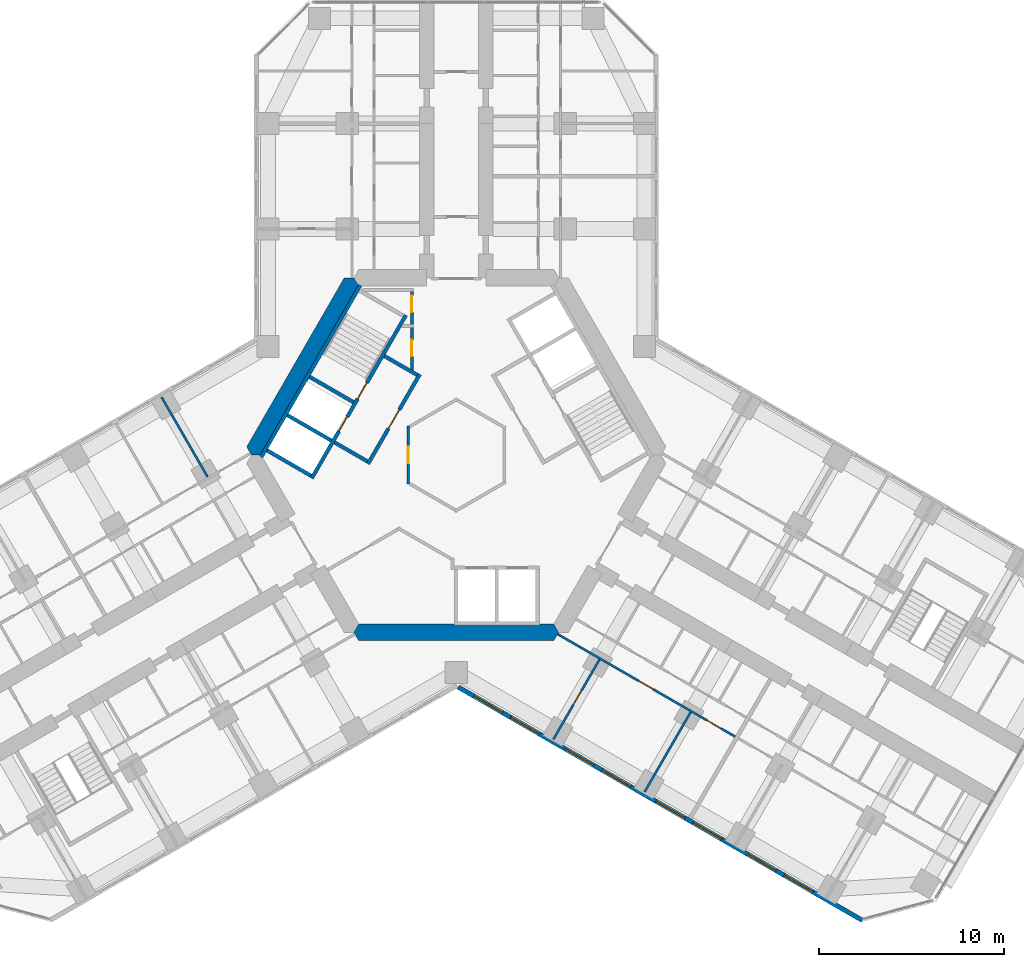
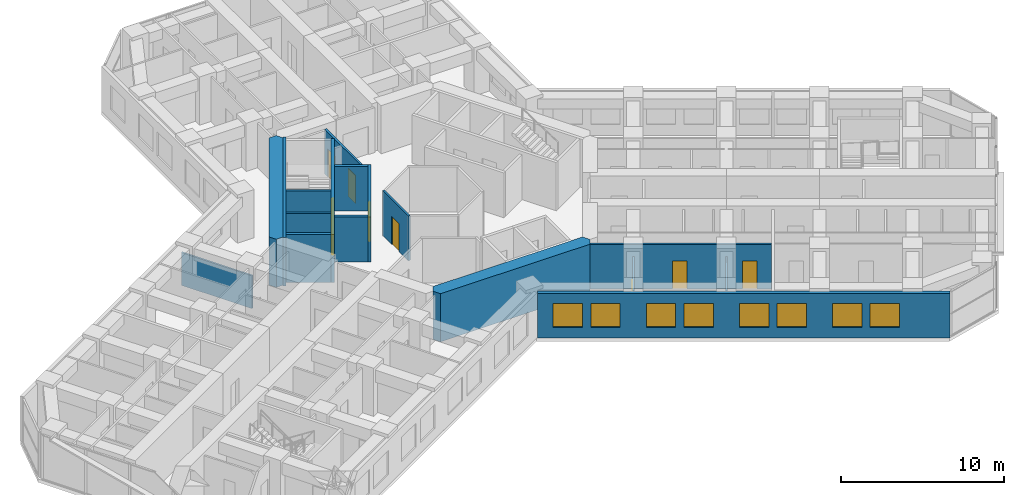
# One storey, part 13 of 20: 17 walls, 9 doors, 8 windows, 17 openings.
"""IFC4 building model written with IfcOpenShell, lengths in metres."""

from ifc_helpers import new_model, si_unit, direction, frame, frame_2d, origin, place, context, subcontext, project, spatial, polyline, rectangle, outline, extrude, material, layer, layer_set, type_object, element, fill, save


model = new_model("IFC4")

# Units and contexts
model_context = context("Model", 3, precision=1e-05, world=origin(), true_north=direction((0.0, 1.0)))
body_context = subcontext(model_context, "Body", "Model", "MODEL_VIEW")
ifc_project = project(units=[si_unit("LENGTHUNIT", "METRE"), si_unit("AREAUNIT", "SQUARE_METRE"), si_unit("VOLUMEUNIT", "CUBIC_METRE"), si_unit("PLANEANGLEUNIT", "RADIAN"), si_unit("MASSUNIT", "GRAM", prefix="KILO")], contexts=[model_context])

# Site, building, storey
site_placement = place(None, origin())
site = spatial("IfcSite", under=ifc_project, at=site_placement, CompositionType="ELEMENT")
building_placement = place(site_placement, origin())
building = spatial("IfcBuilding", under=site, at=building_placement, Name="Kosmar Iwan School Tower", CompositionType="ELEMENT")
storey_placement = place(building_placement, frame((0.0, 0.0, 127.39990234375)))
storey = spatial("IfcBuildingStorey", under=building, at=storey_placement, Name="L31", CompositionType="ELEMENT", Elevation=127.39990234375)

# Wall, openings, doors
ifc_material_1 = material(Name="Gypsum board on steel studs, fire-rated", Category="steel")
ifc_layer_1 = layer(ifc_material_1, 0.14990234375)
ifc_layer_set_1 = layer_set([ifc_layer_1], Name="Core room partition 150")
wall_type_1 = type_object("IfcWallType", Name="Core room partition 150", PredefinedType="PARTITIONING", material=ifc_layer_set_1)
wall_1_placement = place(storey_placement, frame((-2.39990234375, 9.014892578125, 0.0), z_axis=(0.0, 0.0, 1.0), x_axis=(0.0, -1.0, 0.0)))
wall_1 = element("IfcWall", 1, at=wall_1_placement, inside=storey, type_object=wall_type_1, Name="Core room partition L31-CW1", PredefinedType="PARTITIONING", context=body_context, shape_type="SweptSolid", body=[
    extrude(rectangle(XDim=4.484130859375, YDim=0.14990234375, at=frame_2d((2.2421875, 0.0))), origin(), (0.0, 0.0, 1.0), 3.35009765625),
])
opening_1_placement = place(wall_1_placement, frame((0.375, 0.0, 0.0)))
opening_1 = element("IfcOpeningElement", 2, at=opening_1_placement, cuts=wall_1, Name="Opening D14", PredefinedType="OPENING", context=body_context, shape_type="SweptSolid", body=[
    extrude(rectangle(XDim=0.89990234375, YDim=2.10009765625, at=frame_2d((0.449951171875, 1.050048828125))), frame((0.0, 0.0869140625, 0.0), z_axis=(0.0, -1.0, 0.0), x_axis=(1.0, 0.0, 0.0)), (0.0, 0.0, 1.0), 0.173828125),
])
opening_2_placement = place(wall_1_placement, frame((2.77490234375, 0.0, 0.0)))
opening_2 = element("IfcOpeningElement", 3, at=opening_2_placement, cuts=wall_1, Name="Opening D14", PredefinedType="OPENING", context=body_context, shape_type="SweptSolid", body=[
    extrude(rectangle(XDim=0.89990234375, YDim=2.10009765625, at=frame_2d((0.449951171875, 1.050048828125))), frame((0.0, 0.0869140625, 0.0), z_axis=(0.0, -1.0, 0.0), x_axis=(1.0, 0.0, 0.0)), (0.0, 0.0, 1.0), 0.173828125),
])
ifc_material_2 = material(Name="Timber fire door in steel frame", Category="steel")
door_type_1 = type_object("IfcDoorType", Name="Core room door 900x2100", OperationType="SINGLE_SWING_LEFT", PredefinedType="DOOR", material=ifc_material_2)
door_1_placement = place(opening_1_placement, origin())
door_1 = element("IfcDoor", 4, at=door_1_placement, inside=storey, type_object=door_type_1, Name="Electrical riser and switch room door L31 1", OperationType="SINGLE_SWING_LEFT", OverallHeight=2.10009765625, OverallWidth=0.89990234375, PredefinedType="DOOR", context=body_context, shape_type="SweptSolid", body=[
    extrude(rectangle(XDim=0.89990234375, YDim=2.10009765625, at=frame_2d((0.449951171875, 1.050048828125))), frame((0.0, 0.02490234375, 0.0), z_axis=(0.0, -1.0, 0.0), x_axis=(1.0, 0.0, 0.0)), (0.0, 0.0, 1.0), 0.050048828125),
])
fill(opening_1, door_1)
door_2_placement = place(opening_2_placement, origin())
door_2 = element("IfcDoor", 5, at=door_2_placement, inside=storey, type_object=door_type_1, Name="Plumbing and wet riser door L31 2", OperationType="SINGLE_SWING_RIGHT", OverallHeight=2.10009765625, OverallWidth=0.89990234375, PredefinedType="DOOR", context=body_context, shape_type="SweptSolid", body=[
    extrude(rectangle(XDim=0.89990234375, YDim=2.10009765625, at=frame_2d((0.449951171875, 1.050048828125))), frame((0.0, 0.02490234375, 0.0), z_axis=(0.0, -1.0, 0.0), x_axis=(1.0, 0.0, 0.0)), (0.0, 0.0, 1.0), 0.050048828125),
])
fill(opening_2, door_2)

# Wall, opening, door
wall_2_placement = place(storey_placement, frame((-2.60009765625, -1.576171875, 0.0), z_axis=(0.0, 0.0, 1.0), x_axis=(0.0, 1.0, 0.0)))
wall_2 = element("IfcWall", 6, at=wall_2_placement, inside=storey, type_object=wall_type_1, Name="Core room partition L31-CW10", PredefinedType="PARTITIONING", context=body_context, shape_type="SweptSolid", body=[
    extrude(rectangle(XDim=3.15234375, YDim=0.14990234375, at=frame_2d((1.576171875, 0.0))), origin(), (0.0, 0.0, 1.0), 3.35009765625),
])
opening_3_placement = place(wall_2_placement, frame((1.1259765625, 0.0, 0.0)))
opening_3 = element("IfcOpeningElement", 7, at=opening_3_placement, cuts=wall_2, Name="Opening D14", PredefinedType="OPENING", context=body_context, shape_type="SweptSolid", body=[
    extrude(rectangle(XDim=0.89990234375, YDim=2.10009765625, at=frame_2d((0.449951171875, 1.050048828125))), frame((0.0, 0.0869140625, 0.0), z_axis=(0.0, -1.0, 0.0), x_axis=(1.0, 0.0, 0.0)), (0.0, 0.0, 1.0), 0.173828125),
])
door_3_placement = place(opening_3_placement, origin())
door_3 = element("IfcDoor", 8, at=door_3_placement, inside=storey, type_object=door_type_1, Name="Bulky waste store door L31 4", OperationType="SINGLE_SWING_LEFT", OverallHeight=2.10009765625, OverallWidth=0.89990234375, PredefinedType="DOOR", context=body_context, shape_type="SweptSolid", body=[
    extrude(rectangle(XDim=0.89990234375, YDim=2.10009765625, at=frame_2d((0.449951171875, 1.050048828125))), frame((0.0, 0.02490234375, 0.0), z_axis=(0.0, -1.0, 0.0), x_axis=(1.0, 0.0, 0.0)), (0.0, 0.0, 1.0), 0.050048828125),
])
fill(opening_3, door_3)

# Walls
ifc_material_3 = material(Name="Concrete C50/60", Category="concrete")
ifc_layer_2 = layer(ifc_material_3, 0.89990234375)
ifc_layer_set_2 = layer_set([ifc_layer_2], Name="Core wall 900")
wall_type_2 = type_object("IfcWallType", Name="Core wall 900", PredefinedType="SHEAR", material=ifc_layer_set_2)
wall_3_placement = place(storey_placement, origin())
element("IfcWall", 9, at=wall_3_placement, inside=storey, type_object=wall_type_2, Name="Core wall F150", PredefinedType="SHEAR", context=body_context, shape_type="SweptSolid", body=[
    extrude(outline(polyline([(-11.085205078125, 0.0), (-10.5654296875, 0.0), (-5.28271484375, 9.14990234375), (-5.54248046875, 9.60009765625), (-6.062255859375, 9.60009765625), (-11.344970703125, 0.449951171875), (-11.085205078125, 0.0)])), origin(), (0.0, 0.0, 1.0), 3.60009765625),
])
wall_4_placement = place(storey_placement, origin())
element("IfcWall", 10, at=wall_4_placement, inside=storey, type_object=wall_type_2, Name="Core wall F270", PredefinedType="SHEAR", context=body_context, shape_type="SweptSolid", body=[
    extrude(outline(polyline([(-5.28271484375, -10.050048828125), (5.28271484375, -10.050048828125), (5.54248046875, -9.60009765625), (5.28271484375, -9.14990234375), (-5.28271484375, -9.14990234375), (-5.54248046875, -9.60009765625), (-5.28271484375, -10.050048828125)])), origin(), (0.0, 0.0, 1.0), 3.60009765625),
])
ifc_material_4 = material(Name="Gypsum board on steel studs", Category="steel")
ifc_layer_3 = layer(ifc_material_4, 0.1201171875)
ifc_layer_set_3 = layer_set([ifc_layer_3], Name="Dwelling partition 120")
wall_type_3 = type_object("IfcWallType", Name="Dwelling partition 120", PredefinedType="PARTITIONING", material=ifc_layer_set_3)
wall_5_placement = place(storey_placement, frame((-13.4638671875, -1.179931640625, 0.0), z_axis=(0.0, 0.0, 1.0), x_axis=(-0.499996339024, 0.86602751744, 0.0)))
element("IfcWall", 11, at=wall_5_placement, inside=storey, type_object=wall_type_3, Name="Partition L31-BR1-X1", PredefinedType="PARTITIONING", context=body_context, shape_type="SweptSolid", body=[
    extrude(rectangle(XDim=4.98974609375, YDim=0.1201171875, at=frame_2d((2.494873046875, 0.0))), origin(), (0.0, 0.0, 1.0), 2.4501953125),
])

# Wall, openings, doors
wall_6_placement = place(storey_placement, frame((5.48876953125, -9.693115234375, 0.0), z_axis=(0.0, 0.0, 1.0), x_axis=(0.866026992824, -0.499997247692, 0.0)))
wall_6 = element("IfcWall", 12, at=wall_6_placement, inside=storey, type_object=wall_type_3, Name="Partition L31-CR1-W2", PredefinedType="PARTITIONING", context=body_context, shape_type="SweptSolid", body=[
    extrude(rectangle(XDim=11.10009765625, YDim=0.1201171875, at=frame_2d((5.550048828125, 0.0))), origin(), (0.0, 0.0, 1.0), 3.35009765625),
])
opening_4_placement = place(wall_6_placement, frame((5.050048828125, 0.0, 0.0)))
opening_4 = element("IfcOpeningElement", 13, at=opening_4_placement, cuts=wall_6, Name="Opening D2", PredefinedType="OPENING", context=body_context, shape_type="SweptSolid", body=[
    extrude(rectangle(XDim=0.89990234375, YDim=2.10009765625, at=frame_2d((0.449951171875, 1.050048828125))), frame((0.0, 0.072021484375, 0.0), z_axis=(0.0, -1.0, 0.0), x_axis=(1.0, 0.0, 0.0)), (0.0, 0.0, 1.0), 0.14404296875),
])
opening_5_placement = place(wall_6_placement, frame((9.324951171875, 0.0, 0.0)))
opening_5 = element("IfcOpeningElement", 14, at=opening_5_placement, cuts=wall_6, Name="Opening D2", PredefinedType="OPENING", context=body_context, shape_type="SweptSolid", body=[
    extrude(rectangle(XDim=0.89990234375, YDim=2.10009765625, at=frame_2d((0.449951171875, 1.050048828125))), frame((0.0, 0.072021484375, 0.0), z_axis=(0.0, -1.0, 0.0), x_axis=(1.0, 0.0, 0.0)), (0.0, 0.0, 1.0), 0.14404296875),
])
ifc_material_5 = material(Name="Timber door in timber frame", Category="wood")
door_type_2 = type_object("IfcDoorType", Name="Internal door 900x2100", OperationType="SINGLE_SWING_LEFT", PredefinedType="DOOR", material=ifc_material_5)
door_4_placement = place(opening_4_placement, origin())
door_4 = element("IfcDoor", 15, at=door_4_placement, inside=storey, type_object=door_type_2, Name="Family room door L31-CR1-F2", OperationType="SINGLE_SWING_LEFT", OverallHeight=2.10009765625, OverallWidth=0.89990234375, PredefinedType="DOOR", context=body_context, shape_type="SweptSolid", body=[
    extrude(rectangle(XDim=0.89990234375, YDim=2.10009765625, at=frame_2d((0.449951171875, 1.050048828125))), frame((0.0, 0.02490234375, 0.0), z_axis=(0.0, -1.0, 0.0), x_axis=(1.0, 0.0, 0.0)), (0.0, 0.0, 1.0), 0.050048828125),
])
fill(opening_4, door_4)
door_5_placement = place(opening_5_placement, origin())
door_5 = element("IfcDoor", 16, at=door_5_placement, inside=storey, type_object=door_type_2, Name="Bedroom 1 door L31-CR1-F3", OperationType="SINGLE_SWING_RIGHT", OverallHeight=2.10009765625, OverallWidth=0.89990234375, PredefinedType="DOOR", context=body_context, shape_type="SweptSolid", body=[
    extrude(rectangle(XDim=0.89990234375, YDim=2.10009765625, at=frame_2d((0.449951171875, 1.050048828125))), frame((0.0, 0.02490234375, 0.0), z_axis=(0.0, -1.0, 0.0), x_axis=(1.0, 0.0, 0.0)), (0.0, 0.0, 1.0), 0.050048828125),
])
fill(opening_5, door_5)

# Wall, opening, door
wall_7_placement = place(storey_placement, frame((7.75390625, -11.070068359375, 0.0), z_axis=(0.0, 0.0, 1.0), x_axis=(-0.500033033937, -0.866006330792, 0.0)))
wall_7 = element("IfcWall", 17, at=wall_7_placement, inside=storey, type_object=wall_type_3, Name="Partition L31-CR1-X1", PredefinedType="PARTITIONING", context=body_context, shape_type="SweptSolid", body=[
    extrude(rectangle(XDim=4.989990234375, YDim=0.1201171875, at=frame_2d((2.4951171875, 0.0))), origin(), (0.0, 0.0, 1.0), 2.4501953125),
])
opening_6_placement = place(wall_7_placement, frame((1.93994140625, 0.0, 0.0)))
opening_6 = element("IfcOpeningElement", 18, at=opening_6_placement, cuts=wall_7, Name="Opening D2", PredefinedType="OPENING", context=body_context, shape_type="SweptSolid", body=[
    extrude(rectangle(XDim=0.89990234375, YDim=2.10009765625, at=frame_2d((0.449951171875, 1.050048828125))), frame((0.0, 0.072021484375, 0.0), z_axis=(0.0, -1.0, 0.0), x_axis=(1.0, 0.0, 0.0)), (0.0, 0.0, 1.0), 0.14404296875),
])
door_6_placement = place(opening_6_placement, origin())
door_6 = element("IfcDoor", 19, at=door_6_placement, inside=storey, type_object=door_type_2, Name="Kitchen and dining room door L31-CR1-F1", OperationType="SINGLE_SWING_LEFT", OverallHeight=2.10009765625, OverallWidth=0.89990234375, PredefinedType="DOOR", context=body_context, shape_type="SweptSolid", body=[
    extrude(rectangle(XDim=0.89990234375, YDim=2.10009765625, at=frame_2d((0.449951171875, 1.050048828125))), frame((0.0, 0.02490234375, 0.0), z_axis=(0.0, -1.0, 0.0), x_axis=(1.0, 0.0, 0.0)), (0.0, 0.0, 1.0), 0.050048828125),
])
fill(opening_6, door_6)

# Wall
wall_8_placement = place(storey_placement, frame((12.690185546875, -13.919921875, 0.0), z_axis=(0.0, 0.0, 1.0), x_axis=(-0.500011847778, -0.866018563358, 0.0)))
element("IfcWall", 20, at=wall_8_placement, inside=storey, type_object=wall_type_3, Name="Partition L31-CR1-X2", PredefinedType="PARTITIONING", context=body_context, shape_type="SweptSolid", body=[
    extrude(rectangle(XDim=4.990234375, YDim=0.1201171875, at=frame_2d((2.4951171875, 0.0))), origin(), (0.0, 0.0, 1.0), 2.4501953125),
])

# Wall, openings, windows
ifc_material_6 = material(Name="Black aluminium rainscreen on insulated framing", Category="aluminium")
ifc_layer_4 = layer(ifc_material_6, 0.25)
ifc_layer_set_4 = layer_set([ifc_layer_4], Name="External wall rainscreen 250")
wall_type_4 = type_object("IfcWallType", Name="External wall rainscreen 250", PredefinedType="SOLIDWALL", material=ifc_layer_set_4)
wall_9_placement = place(storey_placement, frame((0.10546875, -12.560546875, 0.0), z_axis=(0.0, 0.0, 1.0), x_axis=(0.866027073697, -0.499997107615, 0.0)))
wall_9 = element("IfcWall", 21, at=wall_9_placement, inside=storey, type_object=wall_type_4, Name="External wall CR L31", PredefinedType="SOLIDWALL", context=body_context, shape_type="SweptSolid", body=[
    extrude(rectangle(XDim=25.263916015625, YDim=0.25, at=frame_2d((12.6318359375, 0.0))), origin(), (0.0, 0.0, 1.0), 3.35009765625),
])
opening_7_placement = place(wall_9_placement, frame((0.978515625, 0.0, 0.800048828125)))
opening_7 = element("IfcOpeningElement", 22, at=opening_7_placement, cuts=wall_9, Name="Opening W1", PredefinedType="OPENING", context=body_context, shape_type="SweptSolid", body=[
    extrude(rectangle(XDim=1.800048828125, YDim=1.800048828125, at=frame_2d((0.89990234375, 0.89990234375))), frame((0.0, 0.136962890625, 0.0), z_axis=(0.0, -1.0, 0.0), x_axis=(1.0, 0.0, 0.0)), (0.0, 0.0, 1.0), 0.27392578125),
])
opening_8_placement = place(wall_9_placement, frame((3.278564453125, 0.0, 0.800048828125)))
opening_8 = element("IfcOpeningElement", 23, at=opening_8_placement, cuts=wall_9, Name="Opening W1", PredefinedType="OPENING", context=body_context, shape_type="SweptSolid", body=[
    extrude(rectangle(XDim=1.800048828125, YDim=1.800048828125, at=frame_2d((0.89990234375, 0.89990234375))), frame((0.0, 0.136962890625, 0.0), z_axis=(0.0, -1.0, 0.0), x_axis=(1.0, 0.0, 0.0)), (0.0, 0.0, 1.0), 0.27392578125),
])
opening_9_placement = place(wall_9_placement, frame((6.678466796875, 0.0, 0.800048828125)))
opening_9 = element("IfcOpeningElement", 24, at=opening_9_placement, cuts=wall_9, Name="Opening W1", PredefinedType="OPENING", context=body_context, shape_type="SweptSolid", body=[
    extrude(rectangle(XDim=1.800048828125, YDim=1.800048828125, at=frame_2d((0.89990234375, 0.89990234375))), frame((0.0, 0.136962890625, 0.0), z_axis=(0.0, -1.0, 0.0), x_axis=(1.0, 0.0, 0.0)), (0.0, 0.0, 1.0), 0.27392578125),
])
opening_10_placement = place(wall_9_placement, frame((8.978515625, 0.0, 0.800048828125)))
opening_10 = element("IfcOpeningElement", 25, at=opening_10_placement, cuts=wall_9, Name="Opening W1", PredefinedType="OPENING", context=body_context, shape_type="SweptSolid", body=[
    extrude(rectangle(XDim=1.800048828125, YDim=1.800048828125, at=frame_2d((0.89990234375, 0.89990234375))), frame((0.0, 0.136962890625, 0.0), z_axis=(0.0, -1.0, 0.0), x_axis=(1.0, 0.0, 0.0)), (0.0, 0.0, 1.0), 0.27392578125),
])
opening_11_placement = place(wall_9_placement, frame((12.37841796875, 0.0, 0.800048828125)))
opening_11 = element("IfcOpeningElement", 26, at=opening_11_placement, cuts=wall_9, Name="Opening W1", PredefinedType="OPENING", context=body_context, shape_type="SweptSolid", body=[
    extrude(rectangle(XDim=1.800048828125, YDim=1.800048828125, at=frame_2d((0.89990234375, 0.89990234375))), frame((0.0, 0.136962890625, 0.0), z_axis=(0.0, -1.0, 0.0), x_axis=(1.0, 0.0, 0.0)), (0.0, 0.0, 1.0), 0.27392578125),
])
opening_12_placement = place(wall_9_placement, frame((14.678466796875, 0.0, 0.800048828125)))
opening_12 = element("IfcOpeningElement", 27, at=opening_12_placement, cuts=wall_9, Name="Opening W1", PredefinedType="OPENING", context=body_context, shape_type="SweptSolid", body=[
    extrude(rectangle(XDim=1.800048828125, YDim=1.800048828125, at=frame_2d((0.89990234375, 0.89990234375))), frame((0.0, 0.136962890625, 0.0), z_axis=(0.0, -1.0, 0.0), x_axis=(1.0, 0.0, 0.0)), (0.0, 0.0, 1.0), 0.27392578125),
])
opening_13_placement = place(wall_9_placement, frame((18.07861328125, 0.0, 0.800048828125)))
opening_13 = element("IfcOpeningElement", 28, at=opening_13_placement, cuts=wall_9, Name="Opening W1", PredefinedType="OPENING", context=body_context, shape_type="SweptSolid", body=[
    extrude(rectangle(XDim=1.800048828125, YDim=1.800048828125, at=frame_2d((0.89990234375, 0.89990234375))), frame((0.0, 0.136962890625, 0.0), z_axis=(0.0, -1.0, 0.0), x_axis=(1.0, 0.0, 0.0)), (0.0, 0.0, 1.0), 0.27392578125),
])
opening_14_placement = place(wall_9_placement, frame((20.37841796875, 0.0, 0.800048828125)))
opening_14 = element("IfcOpeningElement", 29, at=opening_14_placement, cuts=wall_9, Name="Opening W1", PredefinedType="OPENING", context=body_context, shape_type="SweptSolid", body=[
    extrude(rectangle(XDim=1.800048828125, YDim=1.800048828125, at=frame_2d((0.89990234375, 0.89990234375))), frame((0.0, 0.136962890625, 0.0), z_axis=(0.0, -1.0, 0.0), x_axis=(1.0, 0.0, 0.0)), (0.0, 0.0, 1.0), 0.27392578125),
])
ifc_material_7 = material(Name="Black aluminium frame with dark triple glazing", Category="aluminium")
window_type = type_object("IfcWindowType", Name="Window 1800x1800", PartitioningType="SINGLE_PANEL", PredefinedType="WINDOW", material=ifc_material_7)
window_1_placement = place(opening_7_placement, origin())
window_1 = element("IfcWindow", 30, at=window_1_placement, inside=storey, type_object=window_type, Name="Window CR L31 -1", OverallHeight=1.800048828125, OverallWidth=1.800048828125, PartitioningType="SINGLE_PANEL", PredefinedType="WINDOW", context=body_context, shape_type="SweptSolid", body=[
    extrude(rectangle(XDim=1.800048828125, YDim=1.800048828125, at=frame_2d((0.89990234375, 0.89990234375))), frame((0.0, 0.030029296875, 0.0), z_axis=(0.0, -1.0, 0.0), x_axis=(1.0, 0.0, 0.0)), (0.0, 0.0, 1.0), 0.06005859375),
])
fill(opening_7, window_1)
window_2_placement = place(opening_8_placement, origin())
window_2 = element("IfcWindow", 31, at=window_2_placement, inside=storey, type_object=window_type, Name="Window CR L31 0", OverallHeight=1.800048828125, OverallWidth=1.800048828125, PartitioningType="SINGLE_PANEL", PredefinedType="WINDOW", context=body_context, shape_type="SweptSolid", body=[
    extrude(rectangle(XDim=1.800048828125, YDim=1.800048828125, at=frame_2d((0.89990234375, 0.89990234375))), frame((0.0, 0.030029296875, 0.0), z_axis=(0.0, -1.0, 0.0), x_axis=(1.0, 0.0, 0.0)), (0.0, 0.0, 1.0), 0.06005859375),
])
fill(opening_8, window_2)
window_3_placement = place(opening_9_placement, origin())
window_3 = element("IfcWindow", 32, at=window_3_placement, inside=storey, type_object=window_type, Name="Window CR L31 1", OverallHeight=1.800048828125, OverallWidth=1.800048828125, PartitioningType="SINGLE_PANEL", PredefinedType="WINDOW", context=body_context, shape_type="SweptSolid", body=[
    extrude(rectangle(XDim=1.800048828125, YDim=1.800048828125, at=frame_2d((0.89990234375, 0.89990234375))), frame((0.0, 0.030029296875, 0.0), z_axis=(0.0, -1.0, 0.0), x_axis=(1.0, 0.0, 0.0)), (0.0, 0.0, 1.0), 0.06005859375),
])
fill(opening_9, window_3)
window_4_placement = place(opening_10_placement, origin())
window_4 = element("IfcWindow", 33, at=window_4_placement, inside=storey, type_object=window_type, Name="Window CR L31 2", OverallHeight=1.800048828125, OverallWidth=1.800048828125, PartitioningType="SINGLE_PANEL", PredefinedType="WINDOW", context=body_context, shape_type="SweptSolid", body=[
    extrude(rectangle(XDim=1.800048828125, YDim=1.800048828125, at=frame_2d((0.89990234375, 0.89990234375))), frame((0.0, 0.030029296875, 0.0), z_axis=(0.0, -1.0, 0.0), x_axis=(1.0, 0.0, 0.0)), (0.0, 0.0, 1.0), 0.06005859375),
])
fill(opening_10, window_4)
window_5_placement = place(opening_11_placement, origin())
window_5 = element("IfcWindow", 34, at=window_5_placement, inside=storey, type_object=window_type, Name="Window CR L31 3", OverallHeight=1.800048828125, OverallWidth=1.800048828125, PartitioningType="SINGLE_PANEL", PredefinedType="WINDOW", context=body_context, shape_type="SweptSolid", body=[
    extrude(rectangle(XDim=1.800048828125, YDim=1.800048828125, at=frame_2d((0.89990234375, 0.89990234375))), frame((0.0, 0.030029296875, 0.0), z_axis=(0.0, -1.0, 0.0), x_axis=(1.0, 0.0, 0.0)), (0.0, 0.0, 1.0), 0.06005859375),
])
fill(opening_11, window_5)
window_6_placement = place(opening_12_placement, origin())
window_6 = element("IfcWindow", 35, at=window_6_placement, inside=storey, type_object=window_type, Name="Window CR L31 4", OverallHeight=1.800048828125, OverallWidth=1.800048828125, PartitioningType="SINGLE_PANEL", PredefinedType="WINDOW", context=body_context, shape_type="SweptSolid", body=[
    extrude(rectangle(XDim=1.800048828125, YDim=1.800048828125, at=frame_2d((0.89990234375, 0.89990234375))), frame((0.0, 0.030029296875, 0.0), z_axis=(0.0, -1.0, 0.0), x_axis=(1.0, 0.0, 0.0)), (0.0, 0.0, 1.0), 0.06005859375),
])
fill(opening_12, window_6)
window_7_placement = place(opening_13_placement, origin())
window_7 = element("IfcWindow", 36, at=window_7_placement, inside=storey, type_object=window_type, Name="Window CR L31 5", OverallHeight=1.800048828125, OverallWidth=1.800048828125, PartitioningType="SINGLE_PANEL", PredefinedType="WINDOW", context=body_context, shape_type="SweptSolid", body=[
    extrude(rectangle(XDim=1.800048828125, YDim=1.800048828125, at=frame_2d((0.89990234375, 0.89990234375))), frame((0.0, 0.030029296875, 0.0), z_axis=(0.0, -1.0, 0.0), x_axis=(1.0, 0.0, 0.0)), (0.0, 0.0, 1.0), 0.06005859375),
])
fill(opening_13, window_7)
window_8_placement = place(opening_14_placement, origin())
window_8 = element("IfcWindow", 37, at=window_8_placement, inside=storey, type_object=window_type, Name="Window CR L31 6", OverallHeight=1.800048828125, OverallWidth=1.800048828125, PartitioningType="SINGLE_PANEL", PredefinedType="WINDOW", context=body_context, shape_type="SweptSolid", body=[
    extrude(rectangle(XDim=1.800048828125, YDim=1.800048828125, at=frame_2d((0.89990234375, 0.89990234375))), frame((0.0, 0.030029296875, 0.0), z_axis=(0.0, -1.0, 0.0), x_axis=(1.0, 0.0, 0.0)), (0.0, 0.0, 1.0), 0.06005859375),
])
fill(opening_14, window_8)

# Wall, opening, door
ifc_material_8 = material(Name="Concrete block masonry", Category="masonry")
ifc_layer_5 = layer(ifc_material_8, 0.199951171875)
ifc_layer_set_5 = layer_set([ifc_layer_5], Name="Fire lobby wall 200")
wall_type_5 = type_object("IfcWallType", Name="Fire lobby wall 200", PredefinedType="PARTITIONING", material=ifc_layer_set_5)
wall_10_placement = place(storey_placement, frame((-1.9775390625, 4.374755859375, 0.0), z_axis=(0.0, 0.0, 1.0), x_axis=(-0.500016814911, -0.866015695474, 0.0)))
wall_10 = element("IfcWall", 38, at=wall_10_placement, inside=storey, type_object=wall_type_5, Name="Firefighting lobby wall ST2", PredefinedType="PARTITIONING", context=body_context, shape_type="SweptSolid", body=[
    extrude(rectangle(XDim=5.599853515625, YDim=0.199951171875, at=frame_2d((2.7998046875, 0.0))), origin(), (0.0, 0.0, 1.0), 3.35009765625),
])
opening_15_placement = place(wall_10_placement, frame((2.199951171875, 0.0, 0.0)))
opening_15 = element("IfcOpeningElement", 39, at=opening_15_placement, cuts=wall_10, Name="Opening D7", PredefinedType="OPENING", context=body_context, shape_type="SweptSolid", body=[
    extrude(rectangle(XDim=1.199951171875, YDim=2.10009765625, at=frame_2d((0.60009765625, 1.050048828125))), frame((0.0, 0.112060546875, 0.0), z_axis=(0.0, -1.0, 0.0), x_axis=(1.0, 0.0, 0.0)), (0.0, 0.0, 1.0), 0.223876953125),
])
ifc_material_9 = material(Name="Steel fire door", Category="steel")
door_type_3 = type_object("IfcDoorType", Name="Fire lobby door 1200x2100", OperationType="SINGLE_SWING_LEFT", PredefinedType="DOOR", material=ifc_material_9)
door_7_placement = place(opening_15_placement, frame((1.199951171875, 0.0, 0.0), z_axis=(0.0, 0.0, 1.0), x_axis=(-1.0, 0.0, 0.0)))
door_7 = element("IfcDoor", 40, at=door_7_placement, inside=storey, type_object=door_type_3, Name="Firefighting lobby door ST2 L31", OperationType="SINGLE_SWING_RIGHT", OverallHeight=2.10009765625, OverallWidth=1.199951171875, PredefinedType="DOOR", context=body_context, shape_type="SweptSolid", body=[
    extrude(rectangle(XDim=1.199951171875, YDim=2.10009765625, at=frame_2d((0.60009765625, 1.050048828125))), frame((0.0, 0.02490234375, 0.0), z_axis=(0.0, -1.0, 0.0), x_axis=(1.0, 0.0, 0.0)), (0.0, 0.0, 1.0), 0.050048828125),
])
fill(opening_15, door_7)

# Walls
wall_11_placement = place(storey_placement, frame((-2.114013671875, 4.33837890625, 0.0), z_axis=(0.0, 0.0, 1.0), x_axis=(-0.866050731258, 0.499956128963, 0.0)))
element("IfcWall", 41, at=wall_11_placement, inside=storey, type_object=wall_type_5, Name="Firefighting lobby wall ST2", PredefinedType="PARTITIONING", context=body_context, shape_type="SweptSolid", body=[
    extrude(rectangle(XDim=2.050048828125, YDim=0.199951171875, at=frame_2d((1.02490234375, 0.0))), origin(), (0.0, 0.0, 1.0), 3.35009765625),
])
wall_12_placement = place(storey_placement, frame((-4.814208984375, -0.33837890625, 0.0), z_axis=(0.0, 0.0, 1.0), x_axis=(-0.865969381856, 0.500097020274, 0.0)))
element("IfcWall", 42, at=wall_12_placement, inside=storey, type_object=wall_type_5, Name="Firefighting lobby wall ST2", PredefinedType="PARTITIONING", context=body_context, shape_type="SweptSolid", body=[
    extrude(rectangle(XDim=2.0498046875, YDim=0.199951171875, at=frame_2d((1.02490234375, 0.0))), origin(), (0.0, 0.0, 1.0), 3.35009765625),
])

# Wall, openings, doors
ifc_material_10 = material(Name="Concrete C50/60", Category="concrete")
ifc_layer_6 = layer(ifc_material_10, 0.199951171875)
ifc_layer_set_6 = layer_set([ifc_layer_6], Name="Lift shaft wall 200")
wall_type_6 = type_object("IfcWallType", Name="Lift shaft wall 200", PredefinedType="SHEAR", material=ifc_layer_set_6)
wall_13_placement = place(storey_placement, frame((-2.72607421875, 7.578369140625, 0.0), z_axis=(0.0, 0.0, 1.0), x_axis=(-0.500005610874, -0.86602216432, 0.0)))
wall_13 = element("IfcWall", 43, at=wall_13_placement, inside=storey, type_object=wall_type_6, Name="Lift and stair front wall AB", PredefinedType="SHEAR", context=body_context, shape_type="SweptSolid", body=[
    extrude(rectangle(XDim=10.2001953125, YDim=0.199951171875, at=frame_2d((5.10009765625, 0.0))), origin(), (0.0, 0.0, 1.0), 3.60009765625),
])
opening_16_placement = place(wall_13_placement, frame((6.35009765625, 0.0, 0.0)))
opening_16 = element("IfcOpeningElement", 44, at=opening_16_placement, cuts=wall_13, Name="Opening LD2", PredefinedType="OPENING", context=body_context, shape_type="SweptSolid", body=[
    extrude(rectangle(XDim=0.89990234375, YDim=2.10009765625, at=frame_2d((0.449951171875, 1.050048828125))), frame((0.0, 0.112060546875, 0.0), z_axis=(0.0, -1.0, 0.0), x_axis=(1.0, 0.0, 0.0)), (0.0, 0.0, 1.0), 0.223876953125),
])
opening_17_placement = place(wall_13_placement, frame((4.22998046875, 0.0, 0.0)))
opening_17 = element("IfcOpeningElement", 45, at=opening_17_placement, cuts=wall_13, Name="Opening D6", PredefinedType="OPENING", context=body_context, shape_type="SweptSolid", body=[
    extrude(rectangle(XDim=1.0, YDim=2.10009765625, at=frame_2d((0.5, 1.050048828125))), frame((0.0, 0.112060546875, 0.0), z_axis=(0.0, -1.0, 0.0), x_axis=(1.0, 0.0, 0.0)), (0.0, 0.0, 1.0), 0.223876953125),
])
ifc_material_11 = material(Name="Stainless steel sliding lift door", Category="steel")
door_type_4 = type_object("IfcDoorType", Name="Firefighting lift landing door 900x2100", OperationType="SLIDING_TO_LEFT", PredefinedType="DOOR", material=ifc_material_11)
door_8_placement = place(opening_16_placement, origin())
door_8 = element("IfcDoor", 46, at=door_8_placement, inside=storey, type_object=door_type_4, Name="Lift FF2 landing door L31", OperationType="SLIDING_TO_LEFT", OverallHeight=2.10009765625, OverallWidth=0.89990234375, PredefinedType="DOOR", context=body_context, shape_type="SweptSolid", body=[
    extrude(rectangle(XDim=0.89990234375, YDim=2.10009765625, at=frame_2d((0.449951171875, 1.050048828125))), frame((0.0, 0.02490234375, 0.0), z_axis=(0.0, -1.0, 0.0), x_axis=(1.0, 0.0, 0.0)), (0.0, 0.0, 1.0), 0.050048828125),
])
fill(opening_16, door_8)
ifc_material_12 = material(Name="Steel fire door", Category="steel")
door_type_5 = type_object("IfcDoorType", Name="Stair door 1000x2100", OperationType="SINGLE_SWING_LEFT", PredefinedType="DOOR", material=ifc_material_12)
door_9_placement = place(opening_17_placement, origin())
door_9 = element("IfcDoor", 47, at=door_9_placement, inside=storey, type_object=door_type_5, Name="Stair ST2 door L31", OperationType="SINGLE_SWING_LEFT", OverallHeight=2.10009765625, OverallWidth=1.0, PredefinedType="DOOR", context=body_context, shape_type="SweptSolid", body=[
    extrude(rectangle(XDim=1.0, YDim=2.10009765625, at=frame_2d((0.5, 1.050048828125))), frame((0.0, 0.02490234375, 0.0), z_axis=(0.0, -1.0, 0.0), x_axis=(1.0, 0.0, 0.0)), (0.0, 0.0, 1.0), 0.050048828125),
])
fill(opening_17, door_9)

# Walls
wall_14_placement = place(storey_placement, frame((-5.196044921875, 9.199951171875, 0.0), z_axis=(0.0, 0.0, 1.0), x_axis=(-0.499999935134, -0.866025441235, 0.0)))
element("IfcWall", 48, at=wall_14_placement, inside=storey, type_object=wall_type_6, Name="Lift and stair back wall AB", PredefinedType="SHEAR", context=body_context, shape_type="SweptSolid", body=[
    extrude(rectangle(XDim=10.73876953125, YDim=0.199951171875, at=frame_2d((5.369384765625, 0.0))), origin(), (0.0, 0.0, 1.0), 3.60009765625),
])
for number, where, z_axis, x_axis, name in (
    (49, (-6.7626953125, 0.78662109375, 0.0), (0.0, 0.0, 1.0), (-0.866027397988, 0.499996545922, 0.0), "Lift shaft wall AB 1"),
    (50, (-7.862548828125, -1.118408203125, 0.0), (0.0, 0.0, 1.0), (-0.866027397988, 0.499996545922, 0.0), "Lift shaft wall AB 2"),
):
    element("IfcWall", number, at=place(storey_placement, frame(where, z_axis=z_axis, x_axis=x_axis)), inside=storey, type_object=wall_type_6, Name=name, PredefinedType="SHEAR", context=body_context, shape_type="SweptSolid", body=[
        extrude(rectangle(XDim=2.75, YDim=0.199951171875, at=frame_2d((1.375, 0.0))), origin(), (0.0, 0.0, 1.0), 3.60009765625),
    ])
ifc_material_13 = material(Name="Concrete C50/60", Category="concrete")
ifc_layer_7 = layer(ifc_material_13, 0.199951171875)
ifc_layer_set_7 = layer_set([ifc_layer_7], Name="Stair enclosure wall 200")
wall_type_7 = type_object("IfcWallType", Name="Stair enclosure wall 200", PredefinedType="SHEAR", material=ifc_layer_set_7)
wall_15_placement = place(storey_placement, frame((-5.562744140625, 2.865234375, 0.0), z_axis=(0.0, 0.0, 1.0), x_axis=(-0.866027397988, 0.499996545922, 0.0)))
element("IfcWall", 51, at=wall_15_placement, inside=storey, type_object=wall_type_7, Name="Stair ST2 wall", PredefinedType="SHEAR", context=body_context, shape_type="SweptSolid", body=[
    extrude(rectangle(XDim=2.75, YDim=0.199951171875, at=frame_2d((1.375, 0.0))), origin(), (0.0, 0.0, 1.0), 3.60009765625),
])

save(model, "model.ifc")
